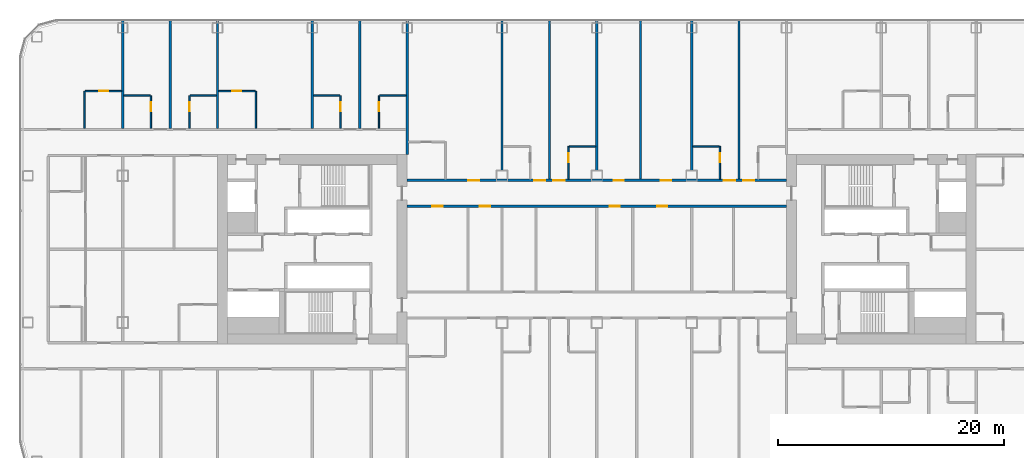
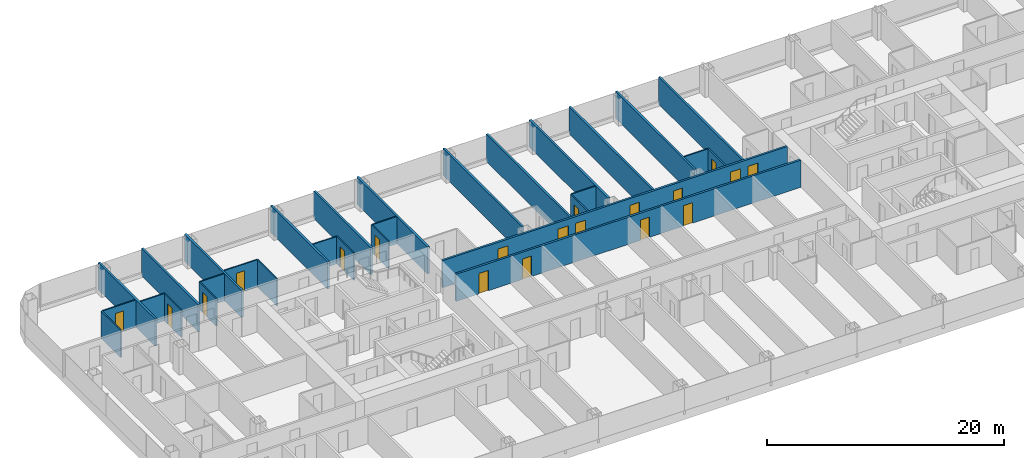
# One storey, part 16 of 28: 30 walls, 19 doors, 19 openings.
"""IFC4 building model written with IfcOpenShell, lengths in metres."""

from ifc_helpers import new_model, si_unit, direction, frame, frame_2d, origin, place, context, subcontext, project, spatial, rectangle, extrude, material, layer, layer_set, type_object, element, fill, save


model = new_model("IFC4")

# Units and contexts
model_context = context("Model", 3, precision=1e-05, world=origin(), true_north=direction((0.0, 1.0)))
body_context = subcontext(model_context, "Body", "Model", "MODEL_VIEW")
ifc_project = project(units=[si_unit("LENGTHUNIT", "METRE"), si_unit("AREAUNIT", "SQUARE_METRE"), si_unit("VOLUMEUNIT", "CUBIC_METRE"), si_unit("PLANEANGLEUNIT", "RADIAN"), si_unit("MASSUNIT", "GRAM", prefix="KILO")], contexts=[model_context])

# Site, building, storey
site_placement = place(None, origin())
site = spatial("IfcSite", under=ifc_project, at=site_placement, CompositionType="ELEMENT")
building_placement = place(site_placement, origin())
building = spatial("IfcBuilding", under=site, at=building_placement, Name="Hakoniwa Tower and Hamabe Station Hall", CompositionType="ELEMENT")
storey_placement = place(building_placement, frame((0.0, 0.0, 42.199951171875)))
storey = spatial("IfcBuildingStorey", under=building, at=storey_placement, Name="L11", CompositionType="ELEMENT", Elevation=42.199951171875)

# Walls
ifc_material_1 = material(Name="Gypsum board partition", Category="gypsum")
ifc_layer_1 = layer(ifc_material_1, 0.125)
ifc_layer_set_1 = layer_set([ifc_layer_1], Name="Bathroom Partition 125")
wall_type_1 = type_object("IfcWallType", Name="Bathroom Partition 125", PredefinedType="PARTITIONING", material=ifc_layer_set_1)
for number, where, z_axis, x_axis, name in (
    (1, (-2.4375, 9.10009765625, 0.0), (0.0, 0.0, 1.0), (1.0, 0.0, 0.0), "GW-L11-030"),
    (2, (8.5, 9.10009765625, 0.0), (0.0, 0.0, 1.0), (1.0, 0.0, 0.0), "GW-L11-031"),
    (3, (-41.89990234375, 13.60009765625, 0.0), (0.0, 0.0, 1.0), (1.0, 0.0, 0.0), "GW-L11-036"),
):
    element("IfcWall", number, at=place(storey_placement, frame(where, z_axis=z_axis, x_axis=x_axis)), inside=storey, type_object=wall_type_1, Name=name, PredefinedType="PARTITIONING", context=body_context, shape_type="SweptSolid", body=[
        extrude(rectangle(XDim=2.33740234375, YDim=0.125, at=frame_2d((1.168701171875, 0.0))), origin(), (0.0, 0.0, 1.0), 2.800048828125),
    ])
for number, where, z_axis, x_axis, name in (
    (4, (-36.03759765625, 13.60009765625, 0.0), (0.0, 0.0, 1.0), (1.0, 0.0, 0.0), "GW-L11-037"),
    (5, (-25.10009765625, 13.60009765625, 0.0), (0.0, 0.0, 1.0), (1.0, 0.0, 0.0), "GW-L11-038"),
    (6, (-19.237548828125, 13.60009765625, 0.0), (0.0, 0.0, 1.0), (1.0, 0.0, 0.0), "GW-L11-039"),
):
    element("IfcWall", number, at=place(storey_placement, frame(where, z_axis=z_axis, x_axis=x_axis)), inside=storey, type_object=wall_type_1, Name=name, PredefinedType="PARTITIONING", context=body_context, shape_type="SweptSolid", body=[
        extrude(rectangle(XDim=2.337646484375, YDim=0.125, at=frame_2d((1.1689453125, 0.0))), origin(), (0.0, 0.0, 1.0), 2.800048828125),
    ])

# Wall, opening, door
wall_1_placement = place(storey_placement, frame((-45.33740234375, 14.0, 0.0), z_axis=(0.0, 0.0, 1.0), x_axis=(1.0, 0.0, 0.0)))
wall_1 = element("IfcWall", 7, at=wall_1_placement, inside=storey, type_object=wall_type_1, Name="GW-L11-044", PredefinedType="PARTITIONING", context=body_context, shape_type="SweptSolid", body=[
    extrude(rectangle(XDim=3.2373046875, YDim=0.125, at=frame_2d((1.61865234375, 0.0))), origin(), (0.0, 0.0, 1.0), 2.800048828125),
])
opening_1_placement = place(wall_1_placement, frame((1.237548828125, 0.0, 0.0)))
opening_1 = element("IfcOpeningElement", 8, at=opening_1_placement, cuts=wall_1, Name="Opening GD-G1C1-64", PredefinedType="OPENING", context=body_context, shape_type="SweptSolid", body=[
    extrude(rectangle(XDim=0.800048828125, YDim=2.10009765625, at=frame_2d((0.39990234375, 1.050048828125))), frame((0.0, 0.072509765625, 0.0), z_axis=(0.0, -1.0, 0.0), x_axis=(1.0, 0.0, 0.0)), (0.0, 0.0, 1.0), 0.14501953125),
])
ifc_material_2 = material(Name="Timber door leaf", Category="wood")
door_type_1 = type_object("IfcDoorType", Name="Bathroom Door 800", OperationType="SINGLE_SWING_LEFT", PredefinedType="DOOR", material=ifc_material_2)
door_1_placement = place(opening_1_placement, origin())
door_1 = element("IfcDoor", 9, at=door_1_placement, inside=storey, type_object=door_type_1, Name="Door GD-G1C1-64", OperationType="SINGLE_SWING_RIGHT", OverallHeight=2.10009765625, OverallWidth=0.800048828125, PredefinedType="DOOR", context=body_context, shape_type="SweptSolid", body=[
    extrude(rectangle(XDim=0.800048828125, YDim=2.10009765625, at=frame_2d((0.39990234375, 1.050048828125))), frame((0.0, 0.02490234375, 0.0), z_axis=(0.0, -1.0, 0.0), x_axis=(1.0, 0.0, 0.0)), (0.0, 0.0, 1.0), 0.050048828125),
])
fill(opening_1, door_1)

wall_2_placement = place(storey_placement, frame((-33.5, 14.0, 0.0), z_axis=(0.0, 0.0, 1.0), x_axis=(1.0, 0.0, 0.0)))
wall_2 = element("IfcWall", 10, at=wall_2_placement, inside=storey, type_object=wall_type_1, Name="GW-L11-045", PredefinedType="PARTITIONING", context=body_context, shape_type="SweptSolid", body=[
    extrude(rectangle(XDim=3.237548828125, YDim=0.125, at=frame_2d((1.61865234375, 0.0))), origin(), (0.0, 0.0, 1.0), 2.800048828125),
])
opening_2_placement = place(wall_2_placement, frame((1.199951171875, 0.0, 0.0)))
opening_2 = element("IfcOpeningElement", 11, at=opening_2_placement, cuts=wall_2, Name="Opening GD-G1C1-65", PredefinedType="OPENING", context=body_context, shape_type="SweptSolid", body=[
    extrude(rectangle(XDim=0.800048828125, YDim=2.10009765625, at=frame_2d((0.39990234375, 1.050048828125))), frame((0.0, 0.072509765625, 0.0), z_axis=(0.0, -1.0, 0.0), x_axis=(1.0, 0.0, 0.0)), (0.0, 0.0, 1.0), 0.14501953125),
])
door_2_placement = place(opening_2_placement, origin())
door_2 = element("IfcDoor", 12, at=door_2_placement, inside=storey, type_object=door_type_1, Name="Door GD-G1C1-65", OperationType="SINGLE_SWING_LEFT", OverallHeight=2.10009765625, OverallWidth=0.800048828125, PredefinedType="DOOR", context=body_context, shape_type="SweptSolid", body=[
    extrude(rectangle(XDim=0.800048828125, YDim=2.10009765625, at=frame_2d((0.39990234375, 1.050048828125))), frame((0.0, 0.02490234375, 0.0), z_axis=(0.0, -1.0, 0.0), x_axis=(1.0, 0.0, 0.0)), (0.0, 0.0, 1.0), 0.050048828125),
])
fill(opening_2, door_2)

# Wall
wall_3_placement = place(storey_placement, frame((-45.39990234375, 10.699951171875, 0.0), z_axis=(0.0, 0.0, 1.0), x_axis=(0.0, 1.0, 0.0)))
element("IfcWall", 13, at=wall_3_placement, inside=storey, type_object=wall_type_1, Name="GW-L11-052", PredefinedType="PARTITIONING", context=body_context, shape_type="SweptSolid", body=[
    extrude(rectangle(XDim=3.300048828125, YDim=0.125, at=frame_2d((1.64990234375, 0.0))), origin(), (0.0, 0.0, 1.0), 2.800048828125),
])

# Wall, opening, door
wall_4_placement = place(storey_placement, frame((-39.5, 10.699951171875, 0.0), z_axis=(0.0, 0.0, 1.0), x_axis=(0.0, 1.0, 0.0)))
wall_4 = element("IfcWall", 14, at=wall_4_placement, inside=storey, type_object=wall_type_1, Name="GW-L11-057", PredefinedType="PARTITIONING", context=body_context, shape_type="SweptSolid", body=[
    extrude(rectangle(XDim=2.900146484375, YDim=0.125, at=frame_2d((1.4501953125, 0.0))), origin(), (0.0, 0.0, 1.0), 2.800048828125),
])
opening_3_placement = place(wall_4_placement, frame((1.5, 0.0, 0.0)))
opening_3 = element("IfcOpeningElement", 15, at=opening_3_placement, cuts=wall_4, Name="Opening GD-G1C1-70", PredefinedType="OPENING", context=body_context, shape_type="SweptSolid", body=[
    extrude(rectangle(XDim=0.800048828125, YDim=2.10009765625, at=frame_2d((0.39990234375, 1.050048828125))), frame((0.0, 0.072509765625, 0.0), z_axis=(0.0, -1.0, 0.0), x_axis=(1.0, 0.0, 0.0)), (0.0, 0.0, 1.0), 0.14501953125),
])
door_3_placement = place(opening_3_placement, origin())
door_3 = element("IfcDoor", 16, at=door_3_placement, inside=storey, type_object=door_type_1, Name="Door GD-G1C1-70", OperationType="SINGLE_SWING_LEFT", OverallHeight=2.10009765625, OverallWidth=0.800048828125, PredefinedType="DOOR", context=body_context, shape_type="SweptSolid", body=[
    extrude(rectangle(XDim=0.800048828125, YDim=2.10009765625, at=frame_2d((0.39990234375, 1.050048828125))), frame((0.0, 0.02490234375, 0.0), z_axis=(0.0, -1.0, 0.0), x_axis=(1.0, 0.0, 0.0)), (0.0, 0.0, 1.0), 0.050048828125),
])
fill(opening_3, door_3)

wall_5_placement = place(storey_placement, frame((-36.10009765625, 10.699951171875, 0.0), z_axis=(0.0, 0.0, 1.0), x_axis=(0.0, 1.0, 0.0)))
wall_5 = element("IfcWall", 17, at=wall_5_placement, inside=storey, type_object=wall_type_1, Name="GW-L11-062", PredefinedType="PARTITIONING", context=body_context, shape_type="SweptSolid", body=[
    extrude(rectangle(XDim=2.900146484375, YDim=0.125, at=frame_2d((1.4501953125, 0.0))), origin(), (0.0, 0.0, 1.0), 2.800048828125),
])
opening_4_placement = place(wall_5_placement, frame((1.5, 0.0, 0.0)))
opening_4 = element("IfcOpeningElement", 18, at=opening_4_placement, cuts=wall_5, Name="Opening GD-G1C1-71", PredefinedType="OPENING", context=body_context, shape_type="SweptSolid", body=[
    extrude(rectangle(XDim=0.800048828125, YDim=2.10009765625, at=frame_2d((0.39990234375, 1.050048828125))), frame((0.0, 0.072509765625, 0.0), z_axis=(0.0, -1.0, 0.0), x_axis=(1.0, 0.0, 0.0)), (0.0, 0.0, 1.0), 0.14501953125),
])
door_4_placement = place(opening_4_placement, origin())
door_4 = element("IfcDoor", 19, at=door_4_placement, inside=storey, type_object=door_type_1, Name="Door GD-G1C1-71", OperationType="SINGLE_SWING_RIGHT", OverallHeight=2.10009765625, OverallWidth=0.800048828125, PredefinedType="DOOR", context=body_context, shape_type="SweptSolid", body=[
    extrude(rectangle(XDim=0.800048828125, YDim=2.10009765625, at=frame_2d((0.39990234375, 1.050048828125))), frame((0.0, 0.02490234375, 0.0), z_axis=(0.0, -1.0, 0.0), x_axis=(1.0, 0.0, 0.0)), (0.0, 0.0, 1.0), 0.050048828125),
])
fill(opening_4, door_4)

# Wall
wall_6_placement = place(storey_placement, frame((-30.199951171875, 10.699951171875, 0.0), z_axis=(0.0, 0.0, 1.0), x_axis=(0.0, 1.0, 0.0)))
element("IfcWall", 20, at=wall_6_placement, inside=storey, type_object=wall_type_1, Name="GW-L11-065", PredefinedType="PARTITIONING", context=body_context, shape_type="SweptSolid", body=[
    extrude(rectangle(XDim=3.300048828125, YDim=0.125, at=frame_2d((1.64990234375, 0.0))), origin(), (0.0, 0.0, 1.0), 2.800048828125),
])

# Wall, opening, door
wall_7_placement = place(storey_placement, frame((-22.699951171875, 10.699951171875, 0.0), z_axis=(0.0, 0.0, 1.0), x_axis=(0.0, 1.0, 0.0)))
wall_7 = element("IfcWall", 21, at=wall_7_placement, inside=storey, type_object=wall_type_1, Name="GW-L11-068", PredefinedType="PARTITIONING", context=body_context, shape_type="SweptSolid", body=[
    extrude(rectangle(XDim=2.900146484375, YDim=0.125, at=frame_2d((1.4501953125, 0.0))), origin(), (0.0, 0.0, 1.0), 2.800048828125),
])
opening_5_placement = place(wall_7_placement, frame((1.5, 0.0, 0.0)))
opening_5 = element("IfcOpeningElement", 22, at=opening_5_placement, cuts=wall_7, Name="Opening GD-G1C1-72", PredefinedType="OPENING", context=body_context, shape_type="SweptSolid", body=[
    extrude(rectangle(XDim=0.800048828125, YDim=2.10009765625, at=frame_2d((0.39990234375, 1.050048828125))), frame((0.0, 0.072509765625, 0.0), z_axis=(0.0, -1.0, 0.0), x_axis=(1.0, 0.0, 0.0)), (0.0, 0.0, 1.0), 0.14501953125),
])
door_5_placement = place(opening_5_placement, origin())
door_5 = element("IfcDoor", 23, at=door_5_placement, inside=storey, type_object=door_type_1, Name="Door GD-G1C1-72", OperationType="SINGLE_SWING_LEFT", OverallHeight=2.10009765625, OverallWidth=0.800048828125, PredefinedType="DOOR", context=body_context, shape_type="SweptSolid", body=[
    extrude(rectangle(XDim=0.800048828125, YDim=2.10009765625, at=frame_2d((0.39990234375, 1.050048828125))), frame((0.0, 0.02490234375, 0.0), z_axis=(0.0, -1.0, 0.0), x_axis=(1.0, 0.0, 0.0)), (0.0, 0.0, 1.0), 0.050048828125),
])
fill(opening_5, door_5)

wall_8_placement = place(storey_placement, frame((-19.300048828125, 10.699951171875, 0.0), z_axis=(0.0, 0.0, 1.0), x_axis=(0.0, 1.0, 0.0)))
wall_8 = element("IfcWall", 24, at=wall_8_placement, inside=storey, type_object=wall_type_1, Name="GW-L11-071", PredefinedType="PARTITIONING", context=body_context, shape_type="SweptSolid", body=[
    extrude(rectangle(XDim=2.900146484375, YDim=0.125, at=frame_2d((1.4501953125, 0.0))), origin(), (0.0, 0.0, 1.0), 2.800048828125),
])
opening_6_placement = place(wall_8_placement, frame((1.5, 0.0, 0.0)))
opening_6 = element("IfcOpeningElement", 25, at=opening_6_placement, cuts=wall_8, Name="Opening GD-G1C1-73", PredefinedType="OPENING", context=body_context, shape_type="SweptSolid", body=[
    extrude(rectangle(XDim=0.800048828125, YDim=2.10009765625, at=frame_2d((0.39990234375, 1.050048828125))), frame((0.0, 0.072509765625, 0.0), z_axis=(0.0, -1.0, 0.0), x_axis=(1.0, 0.0, 0.0)), (0.0, 0.0, 1.0), 0.14501953125),
])
door_6_placement = place(opening_6_placement, origin())
door_6 = element("IfcDoor", 26, at=door_6_placement, inside=storey, type_object=door_type_1, Name="Door GD-G1C1-73", OperationType="SINGLE_SWING_RIGHT", OverallHeight=2.10009765625, OverallWidth=0.800048828125, PredefinedType="DOOR", context=body_context, shape_type="SweptSolid", body=[
    extrude(rectangle(XDim=0.800048828125, YDim=2.10009765625, at=frame_2d((0.39990234375, 1.050048828125))), frame((0.0, 0.02490234375, 0.0), z_axis=(0.0, -1.0, 0.0), x_axis=(1.0, 0.0, 0.0)), (0.0, 0.0, 1.0), 0.050048828125),
])
fill(opening_6, door_6)

wall_9_placement = place(storey_placement, frame((-2.5, 6.199951171875, 0.0), z_axis=(0.0, 0.0, 1.0), x_axis=(0.0, 1.0, 0.0)))
wall_9 = element("IfcWall", 27, at=wall_9_placement, inside=storey, type_object=wall_type_1, Name="GW-L11-086", PredefinedType="PARTITIONING", context=body_context, shape_type="SweptSolid", body=[
    extrude(rectangle(XDim=2.900146484375, YDim=0.125, at=frame_2d((1.4501953125, 0.0))), origin(), (0.0, 0.0, 1.0), 2.800048828125),
])
opening_7_placement = place(wall_9_placement, frame((1.5, 0.0, 0.0)))
opening_7 = element("IfcOpeningElement", 28, at=opening_7_placement, cuts=wall_9, Name="Opening GD-G1C1-77", PredefinedType="OPENING", context=body_context, shape_type="SweptSolid", body=[
    extrude(rectangle(XDim=0.800048828125, YDim=2.10009765625, at=frame_2d((0.39990234375, 1.050048828125))), frame((0.0, 0.072509765625, 0.0), z_axis=(0.0, -1.0, 0.0), x_axis=(1.0, 0.0, 0.0)), (0.0, 0.0, 1.0), 0.14501953125),
])
door_7_placement = place(opening_7_placement, origin())
door_7 = element("IfcDoor", 29, at=door_7_placement, inside=storey, type_object=door_type_1, Name="Door GD-G1C1-77", OperationType="SINGLE_SWING_RIGHT", OverallHeight=2.10009765625, OverallWidth=0.800048828125, PredefinedType="DOOR", context=body_context, shape_type="SweptSolid", body=[
    extrude(rectangle(XDim=0.800048828125, YDim=2.10009765625, at=frame_2d((0.39990234375, 1.050048828125))), frame((0.0, 0.02490234375, 0.0), z_axis=(0.0, -1.0, 0.0), x_axis=(1.0, 0.0, 0.0)), (0.0, 0.0, 1.0), 0.050048828125),
])
fill(opening_7, door_7)

wall_10_placement = place(storey_placement, frame((10.89990234375, 6.199951171875, 0.0), z_axis=(0.0, 0.0, 1.0), x_axis=(0.0, 1.0, 0.0)))
wall_10 = element("IfcWall", 30, at=wall_10_placement, inside=storey, type_object=wall_type_1, Name="GW-L11-097", PredefinedType="PARTITIONING", context=body_context, shape_type="SweptSolid", body=[
    extrude(rectangle(XDim=2.900146484375, YDim=0.125, at=frame_2d((1.4501953125, 0.0))), origin(), (0.0, 0.0, 1.0), 2.800048828125),
])
opening_8_placement = place(wall_10_placement, frame((1.5, 0.0, 0.0)))
opening_8 = element("IfcOpeningElement", 31, at=opening_8_placement, cuts=wall_10, Name="Opening GD-G1C1-79", PredefinedType="OPENING", context=body_context, shape_type="SweptSolid", body=[
    extrude(rectangle(XDim=0.800048828125, YDim=2.10009765625, at=frame_2d((0.39990234375, 1.050048828125))), frame((0.0, 0.072509765625, 0.0), z_axis=(0.0, -1.0, 0.0), x_axis=(1.0, 0.0, 0.0)), (0.0, 0.0, 1.0), 0.14501953125),
])
door_8_placement = place(opening_8_placement, origin())
door_8 = element("IfcDoor", 32, at=door_8_placement, inside=storey, type_object=door_type_1, Name="Door GD-G1C1-79", OperationType="SINGLE_SWING_LEFT", OverallHeight=2.10009765625, OverallWidth=0.800048828125, PredefinedType="DOOR", context=body_context, shape_type="SweptSolid", body=[
    extrude(rectangle(XDim=0.800048828125, YDim=2.10009765625, at=frame_2d((0.39990234375, 1.050048828125))), frame((0.0, 0.02490234375, 0.0), z_axis=(0.0, -1.0, 0.0), x_axis=(1.0, 0.0, 0.0)), (0.0, 0.0, 1.0), 0.050048828125),
])
fill(opening_8, door_8)

# Wall, openings, doors
ifc_material_3 = material(Name="Fire-rated gypsum board partition", Category="gypsum")
ifc_layer_2 = layer(ifc_material_3, 0.199951171875)
ifc_layer_set_2 = layer_set([ifc_layer_2], Name="Corridor Wall 200")
wall_type_2 = type_object("IfcWallType", Name="Corridor Wall 200", PredefinedType="PARTITIONING", material=ifc_layer_set_2)
wall_11_placement = place(storey_placement, frame((-16.800048828125, 3.800048828125, 0.0), z_axis=(0.0, 0.0, 1.0), x_axis=(1.0, 0.0, 0.0)))
wall_11 = element("IfcWall", 33, at=wall_11_placement, inside=storey, type_object=wall_type_2, Name="GW-L11-023", PredefinedType="PARTITIONING", context=body_context, shape_type="SweptSolid", body=[
    extrude(rectangle(XDim=33.60009765625, YDim=0.199951171875, at=frame_2d((16.800048828125, 0.0))), origin(), (0.0, 0.0, 1.0), 2.800048828125),
])
opening_9_placement = place(wall_11_placement, frame((2.239990234375, 0.0, 0.0)))
opening_9 = element("IfcOpeningElement", 34, at=opening_9_placement, cuts=wall_11, Name="Opening GD-G1C1-35", PredefinedType="OPENING", context=body_context, shape_type="SweptSolid", body=[
    extrude(rectangle(XDim=0.89990234375, YDim=2.10009765625, at=frame_2d((0.449951171875, 1.050048828125))), frame((0.0, 0.10986328125, 0.0), z_axis=(0.0, -1.0, 0.0), x_axis=(1.0, 0.0, 0.0)), (0.0, 0.0, 1.0), 0.219970703125),
])
opening_10_placement = place(wall_11_placement, frame((6.43994140625, 0.0, 0.0)))
opening_10 = element("IfcOpeningElement", 35, at=opening_10_placement, cuts=wall_11, Name="Opening GD-G1C1-36", PredefinedType="OPENING", context=body_context, shape_type="SweptSolid", body=[
    extrude(rectangle(XDim=0.89990234375, YDim=2.10009765625, at=frame_2d((0.449951171875, 1.050048828125))), frame((0.0, 0.10986328125, 0.0), z_axis=(0.0, -1.0, 0.0), x_axis=(1.0, 0.0, 0.0)), (0.0, 0.0, 1.0), 0.219970703125),
])
opening_11_placement = place(wall_11_placement, frame((17.945068359375, 0.0, 0.0)))
opening_11 = element("IfcOpeningElement", 36, at=opening_11_placement, cuts=wall_11, Name="Opening GD-G1C1-37", PredefinedType="OPENING", context=body_context, shape_type="SweptSolid", body=[
    extrude(rectangle(XDim=0.89990234375, YDim=2.10009765625, at=frame_2d((0.449951171875, 1.050048828125))), frame((0.0, 0.10986328125, 0.0), z_axis=(0.0, -1.0, 0.0), x_axis=(1.0, 0.0, 0.0)), (0.0, 0.0, 1.0), 0.219970703125),
])
opening_12_placement = place(wall_11_placement, frame((22.14501953125, 0.0, 0.0)))
opening_12 = element("IfcOpeningElement", 37, at=opening_12_placement, cuts=wall_11, Name="Opening GD-G1C1-38", PredefinedType="OPENING", context=body_context, shape_type="SweptSolid", body=[
    extrude(rectangle(XDim=0.89990234375, YDim=2.10009765625, at=frame_2d((0.449951171875, 1.050048828125))), frame((0.0, 0.10986328125, 0.0), z_axis=(0.0, -1.0, 0.0), x_axis=(1.0, 0.0, 0.0)), (0.0, 0.0, 1.0), 0.219970703125),
])
ifc_material_4 = material(Name="Timber door leaf", Category="wood")
door_type_2 = type_object("IfcDoorType", Name="Service Door 900", OperationType="SINGLE_SWING_LEFT", PredefinedType="DOOR", material=ifc_material_4)
door_9_placement = place(opening_9_placement, origin())
door_9 = element("IfcDoor", 38, at=door_9_placement, inside=storey, type_object=door_type_2, Name="Door GD-G1C1-35", OperationType="SINGLE_SWING_RIGHT", OverallHeight=2.10009765625, OverallWidth=0.89990234375, PredefinedType="DOOR", context=body_context, shape_type="SweptSolid", body=[
    extrude(rectangle(XDim=0.89990234375, YDim=2.10009765625, at=frame_2d((0.449951171875, 1.050048828125))), frame((0.0, 0.02490234375, 0.0), z_axis=(0.0, -1.0, 0.0), x_axis=(1.0, 0.0, 0.0)), (0.0, 0.0, 1.0), 0.050048828125),
])
fill(opening_9, door_9)
door_10_placement = place(opening_10_placement, origin())
door_10 = element("IfcDoor", 39, at=door_10_placement, inside=storey, type_object=door_type_2, Name="Door GD-G1C1-36", OperationType="SINGLE_SWING_LEFT", OverallHeight=2.10009765625, OverallWidth=0.89990234375, PredefinedType="DOOR", context=body_context, shape_type="SweptSolid", body=[
    extrude(rectangle(XDim=0.89990234375, YDim=2.10009765625, at=frame_2d((0.449951171875, 1.050048828125))), frame((0.0, 0.02490234375, 0.0), z_axis=(0.0, -1.0, 0.0), x_axis=(1.0, 0.0, 0.0)), (0.0, 0.0, 1.0), 0.050048828125),
])
fill(opening_10, door_10)
door_11_placement = place(opening_11_placement, origin())
door_11 = element("IfcDoor", 40, at=door_11_placement, inside=storey, type_object=door_type_2, Name="Door GD-G1C1-37", OperationType="SINGLE_SWING_RIGHT", OverallHeight=2.10009765625, OverallWidth=0.89990234375, PredefinedType="DOOR", context=body_context, shape_type="SweptSolid", body=[
    extrude(rectangle(XDim=0.89990234375, YDim=2.10009765625, at=frame_2d((0.449951171875, 1.050048828125))), frame((0.0, 0.02490234375, 0.0), z_axis=(0.0, -1.0, 0.0), x_axis=(1.0, 0.0, 0.0)), (0.0, 0.0, 1.0), 0.050048828125),
])
fill(opening_11, door_11)
door_12_placement = place(opening_12_placement, origin())
door_12 = element("IfcDoor", 41, at=door_12_placement, inside=storey, type_object=door_type_2, Name="Door GD-G1C1-38", OperationType="SINGLE_SWING_LEFT", OverallHeight=2.10009765625, OverallWidth=0.89990234375, PredefinedType="DOOR", context=body_context, shape_type="SweptSolid", body=[
    extrude(rectangle(XDim=0.89990234375, YDim=2.10009765625, at=frame_2d((0.449951171875, 1.050048828125))), frame((0.0, 0.02490234375, 0.0), z_axis=(0.0, -1.0, 0.0), x_axis=(1.0, 0.0, 0.0)), (0.0, 0.0, 1.0), 0.050048828125),
])
fill(opening_12, door_12)

wall_12_placement = place(storey_placement, frame((-16.800048828125, 6.10009765625, 0.0), z_axis=(0.0, 0.0, 1.0), x_axis=(1.0, 0.0, 0.0)))
wall_12 = element("IfcWall", 42, at=wall_12_placement, inside=storey, type_object=wall_type_2, Name="GW-L11-026", PredefinedType="PARTITIONING", context=body_context, shape_type="SweptSolid", body=[
    extrude(rectangle(XDim=33.60009765625, YDim=0.199951171875, at=frame_2d((16.800048828125, 0.0))), origin(), (0.0, 0.0, 1.0), 2.800048828125),
])
opening_13_placement = place(wall_12_placement, frame((5.39990234375, 0.0, 0.0)))
opening_13 = element("IfcOpeningElement", 43, at=opening_13_placement, cuts=wall_12, Name="Opening GD-G1C1-40", PredefinedType="OPENING", context=body_context, shape_type="SweptSolid", body=[
    extrude(rectangle(XDim=1.0, YDim=2.10009765625, at=frame_2d((0.5, 1.050048828125))), frame((0.0, 0.10986328125, 0.0), z_axis=(0.0, -1.0, 0.0), x_axis=(1.0, 0.0, 0.0)), (0.0, 0.0, 1.0), 0.219970703125),
])
opening_14_placement = place(wall_12_placement, frame((11.25, 0.0, 0.0)))
opening_14 = element("IfcOpeningElement", 44, at=opening_14_placement, cuts=wall_12, Name="Opening GD-G1C1-41", PredefinedType="OPENING", context=body_context, shape_type="SweptSolid", body=[
    extrude(rectangle(XDim=1.0, YDim=2.10009765625, at=frame_2d((0.5, 1.050048828125))), frame((0.0, 0.10986328125, 0.0), z_axis=(0.0, -1.0, 0.0), x_axis=(1.0, 0.0, 0.0)), (0.0, 0.0, 1.0), 0.219970703125),
])
opening_15_placement = place(wall_12_placement, frame((12.949951171875, 0.0, 0.0)))
opening_15 = element("IfcOpeningElement", 45, at=opening_15_placement, cuts=wall_12, Name="Opening GD-G1C1-42", PredefinedType="OPENING", context=body_context, shape_type="SweptSolid", body=[
    extrude(rectangle(XDim=1.0, YDim=2.10009765625, at=frame_2d((0.5, 1.050048828125))), frame((0.0, 0.10986328125, 0.0), z_axis=(0.0, -1.0, 0.0), x_axis=(1.0, 0.0, 0.0)), (0.0, 0.0, 1.0), 0.219970703125),
])
opening_16_placement = place(wall_12_placement, frame((18.280029296875, 0.0, 0.0)))
opening_16 = element("IfcOpeningElement", 46, at=opening_16_placement, cuts=wall_12, Name="Opening GD-G1C1-43", PredefinedType="OPENING", context=body_context, shape_type="SweptSolid", body=[
    extrude(rectangle(XDim=0.89990234375, YDim=2.10009765625, at=frame_2d((0.449951171875, 1.050048828125))), frame((0.0, 0.10986328125, 0.0), z_axis=(0.0, -1.0, 0.0), x_axis=(1.0, 0.0, 0.0)), (0.0, 0.0, 1.0), 0.219970703125),
])
opening_17_placement = place(wall_12_placement, frame((22.47998046875, 0.0, 0.0)))
opening_17 = element("IfcOpeningElement", 47, at=opening_17_placement, cuts=wall_12, Name="Opening GD-G1C1-44", PredefinedType="OPENING", context=body_context, shape_type="SweptSolid", body=[
    extrude(rectangle(XDim=0.89990234375, YDim=2.10009765625, at=frame_2d((0.449951171875, 1.050048828125))), frame((0.0, 0.10986328125, 0.0), z_axis=(0.0, -1.0, 0.0), x_axis=(1.0, 0.0, 0.0)), (0.0, 0.0, 1.0), 0.219970703125),
])
opening_18_placement = place(wall_12_placement, frame((28.050048828125, 0.0, 0.0)))
opening_18 = element("IfcOpeningElement", 48, at=opening_18_placement, cuts=wall_12, Name="Opening GD-G1C1-45", PredefinedType="OPENING", context=body_context, shape_type="SweptSolid", body=[
    extrude(rectangle(XDim=1.0, YDim=2.10009765625, at=frame_2d((0.5, 1.050048828125))), frame((0.0, 0.10986328125, 0.0), z_axis=(0.0, -1.0, 0.0), x_axis=(1.0, 0.0, 0.0)), (0.0, 0.0, 1.0), 0.219970703125),
])
opening_19_placement = place(wall_12_placement, frame((29.75, 0.0, 0.0)))
opening_19 = element("IfcOpeningElement", 49, at=opening_19_placement, cuts=wall_12, Name="Opening GD-G1C1-46", PredefinedType="OPENING", context=body_context, shape_type="SweptSolid", body=[
    extrude(rectangle(XDim=1.0, YDim=2.10009765625, at=frame_2d((0.5, 1.050048828125))), frame((0.0, 0.10986328125, 0.0), z_axis=(0.0, -1.0, 0.0), x_axis=(1.0, 0.0, 0.0)), (0.0, 0.0, 1.0), 0.219970703125),
])
ifc_material_5 = material(Name="Timber door leaf", Category="wood")
door_type_3 = type_object("IfcDoorType", Name="Guest Entrance Door 1000", OperationType="SINGLE_SWING_LEFT", PredefinedType="DOOR", material=ifc_material_5)
door_13_placement = place(opening_13_placement, origin())
door_13 = element("IfcDoor", 50, at=door_13_placement, inside=storey, type_object=door_type_3, Name="Door GD-G1C1-40", OperationType="SINGLE_SWING_LEFT", OverallHeight=2.10009765625, OverallWidth=1.0, PredefinedType="DOOR", context=body_context, shape_type="SweptSolid", body=[
    extrude(rectangle(XDim=1.0, YDim=2.10009765625, at=frame_2d((0.5, 1.050048828125))), frame((0.0, 0.02490234375, 0.0), z_axis=(0.0, -1.0, 0.0), x_axis=(1.0, 0.0, 0.0)), (0.0, 0.0, 1.0), 0.050048828125),
])
fill(opening_13, door_13)
door_14_placement = place(opening_14_placement, origin())
door_14 = element("IfcDoor", 51, at=door_14_placement, inside=storey, type_object=door_type_3, Name="Door GD-G1C1-41", OperationType="SINGLE_SWING_RIGHT", OverallHeight=2.10009765625, OverallWidth=1.0, PredefinedType="DOOR", context=body_context, shape_type="SweptSolid", body=[
    extrude(rectangle(XDim=1.0, YDim=2.10009765625, at=frame_2d((0.5, 1.050048828125))), frame((0.0, 0.02490234375, 0.0), z_axis=(0.0, -1.0, 0.0), x_axis=(1.0, 0.0, 0.0)), (0.0, 0.0, 1.0), 0.050048828125),
])
fill(opening_14, door_14)
door_15_placement = place(opening_15_placement, origin())
door_15 = element("IfcDoor", 52, at=door_15_placement, inside=storey, type_object=door_type_3, Name="Door GD-G1C1-42", OperationType="SINGLE_SWING_LEFT", OverallHeight=2.10009765625, OverallWidth=1.0, PredefinedType="DOOR", context=body_context, shape_type="SweptSolid", body=[
    extrude(rectangle(XDim=1.0, YDim=2.10009765625, at=frame_2d((0.5, 1.050048828125))), frame((0.0, 0.02490234375, 0.0), z_axis=(0.0, -1.0, 0.0), x_axis=(1.0, 0.0, 0.0)), (0.0, 0.0, 1.0), 0.050048828125),
])
fill(opening_15, door_15)
door_16_placement = place(opening_18_placement, origin())
door_16 = element("IfcDoor", 53, at=door_16_placement, inside=storey, type_object=door_type_3, Name="Door GD-G1C1-45", OperationType="SINGLE_SWING_RIGHT", OverallHeight=2.10009765625, OverallWidth=1.0, PredefinedType="DOOR", context=body_context, shape_type="SweptSolid", body=[
    extrude(rectangle(XDim=1.0, YDim=2.10009765625, at=frame_2d((0.5, 1.050048828125))), frame((0.0, 0.02490234375, 0.0), z_axis=(0.0, -1.0, 0.0), x_axis=(1.0, 0.0, 0.0)), (0.0, 0.0, 1.0), 0.050048828125),
])
fill(opening_18, door_16)
door_17_placement = place(opening_19_placement, origin())
door_17 = element("IfcDoor", 54, at=door_17_placement, inside=storey, type_object=door_type_3, Name="Door GD-G1C1-46", OperationType="SINGLE_SWING_LEFT", OverallHeight=2.10009765625, OverallWidth=1.0, PredefinedType="DOOR", context=body_context, shape_type="SweptSolid", body=[
    extrude(rectangle(XDim=1.0, YDim=2.10009765625, at=frame_2d((0.5, 1.050048828125))), frame((0.0, 0.02490234375, 0.0), z_axis=(0.0, -1.0, 0.0), x_axis=(1.0, 0.0, 0.0)), (0.0, 0.0, 1.0), 0.050048828125),
])
fill(opening_19, door_17)
door_18_placement = place(opening_16_placement, origin())
door_18 = element("IfcDoor", 55, at=door_18_placement, inside=storey, type_object=door_type_2, Name="Door GD-G1C1-43", OperationType="SINGLE_SWING_LEFT", OverallHeight=2.10009765625, OverallWidth=0.89990234375, PredefinedType="DOOR", context=body_context, shape_type="SweptSolid", body=[
    extrude(rectangle(XDim=0.89990234375, YDim=2.10009765625, at=frame_2d((0.449951171875, 1.050048828125))), frame((0.0, 0.02490234375, 0.0), z_axis=(0.0, -1.0, 0.0), x_axis=(1.0, 0.0, 0.0)), (0.0, 0.0, 1.0), 0.050048828125),
])
fill(opening_16, door_18)
door_19_placement = place(opening_17_placement, origin())
door_19 = element("IfcDoor", 56, at=door_19_placement, inside=storey, type_object=door_type_2, Name="Door GD-G1C1-44", OperationType="SINGLE_SWING_LEFT", OverallHeight=2.10009765625, OverallWidth=0.89990234375, PredefinedType="DOOR", context=body_context, shape_type="SweptSolid", body=[
    extrude(rectangle(XDim=0.89990234375, YDim=2.10009765625, at=frame_2d((0.449951171875, 1.050048828125))), frame((0.0, 0.02490234375, 0.0), z_axis=(0.0, -1.0, 0.0), x_axis=(1.0, 0.0, 0.0)), (0.0, 0.0, 1.0), 0.050048828125),
])
fill(opening_17, door_19)

# Walls
ifc_material_6 = material(Name="Fire-rated gypsum board partition", Category="gypsum")
ifc_layer_3 = layer(ifc_material_6, 0.199951171875)
ifc_layer_set_3 = layer_set([ifc_layer_3], Name="Party Wall 200")
wall_type_3 = type_object("IfcWallType", Name="Party Wall 200", PredefinedType="PARTITIONING", material=ifc_layer_set_3)
for number, where, z_axis, x_axis, name in (
    (57, (-42.0, 10.699951171875, 0.0), (0.0, 0.0, 1.0), (0.0, 1.0, 0.0), "GW-L11-056"),
    (58, (-37.800048828125, 10.699951171875, 0.0), (0.0, 0.0, 1.0), (0.0, 1.0, 0.0), "GW-L11-059"),
    (59, (-33.60009765625, 10.699951171875, 0.0), (0.0, 0.0, 1.0), (0.0, 1.0, 0.0), "GW-L11-064"),
    (60, (-25.199951171875, 10.699951171875, 0.0), (0.0, 0.0, 1.0), (0.0, 1.0, 0.0), "GW-L11-067"),
    (61, (-21.0, 10.699951171875, 0.0), (0.0, 0.0, 1.0), (0.0, 1.0, 0.0), "GW-L11-069"),
):
    element("IfcWall", number, at=place(storey_placement, frame(where, z_axis=z_axis, x_axis=x_axis)), inside=storey, type_object=wall_type_3, Name=name, PredefinedType="PARTITIONING", context=body_context, shape_type="SweptSolid", body=[
        extrude(rectangle(XDim=9.60009765625, YDim=0.199951171875, at=frame_2d((4.800048828125, 0.0))), origin(), (0.0, 0.0, 1.0), 2.800048828125),
    ])
wall_13_placement = place(storey_placement, frame((-16.800048828125, 8.389892578125, 0.0), z_axis=(0.0, 0.0, 1.0), x_axis=(0.0, 1.0, 0.0)))
element("IfcWall", 62, at=wall_13_placement, inside=storey, type_object=wall_type_3, Name="GW-L11-073", PredefinedType="PARTITIONING", context=body_context, shape_type="SweptSolid", body=[
    extrude(rectangle(XDim=11.91015625, YDim=0.199951171875, at=frame_2d((5.955078125, 0.0))), origin(), (0.0, 0.0, 1.0), 2.800048828125),
])
wall_14_placement = place(storey_placement, frame((-8.39990234375, 6.989990234375, 0.0), z_axis=(0.0, 0.0, 1.0), x_axis=(0.0, 1.0, 0.0)))
element("IfcWall", 63, at=wall_14_placement, inside=storey, type_object=wall_type_3, Name="GW-L11-079", PredefinedType="PARTITIONING", context=body_context, shape_type="SweptSolid", body=[
    extrude(rectangle(XDim=13.31005859375, YDim=0.199951171875, at=frame_2d((6.655029296875, 0.0))), origin(), (0.0, 0.0, 1.0), 2.800048828125),
])
wall_15_placement = place(storey_placement, frame((-4.199951171875, 6.199951171875, 0.0), z_axis=(0.0, 0.0, 1.0), x_axis=(0.0, 1.0, 0.0)))
element("IfcWall", 64, at=wall_15_placement, inside=storey, type_object=wall_type_3, Name="GW-L11-084", PredefinedType="PARTITIONING", context=body_context, shape_type="SweptSolid", body=[
    extrude(rectangle(XDim=14.10009765625, YDim=0.199951171875, at=frame_2d((7.050048828125, 0.0))), origin(), (0.0, 0.0, 1.0), 2.800048828125),
])
wall_16_placement = place(storey_placement, frame((0.0, 6.989990234375, 0.0), z_axis=(0.0, 0.0, 1.0), x_axis=(0.0, 1.0, 0.0)))
element("IfcWall", 65, at=wall_16_placement, inside=storey, type_object=wall_type_3, Name="GW-L11-089", PredefinedType="PARTITIONING", context=body_context, shape_type="SweptSolid", body=[
    extrude(rectangle(XDim=13.31005859375, YDim=0.199951171875, at=frame_2d((6.655029296875, 0.0))), origin(), (0.0, 0.0, 1.0), 2.800048828125),
])
wall_17_placement = place(storey_placement, frame((3.860107421875, 6.199951171875, 0.0), z_axis=(0.0, 0.0, 1.0), x_axis=(0.0, 1.0, 0.0)))
element("IfcWall", 66, at=wall_17_placement, inside=storey, type_object=wall_type_3, Name="GW-L11-092", PredefinedType="PARTITIONING", context=body_context, shape_type="SweptSolid", body=[
    extrude(rectangle(XDim=14.10009765625, YDim=0.199951171875, at=frame_2d((7.050048828125, 0.0))), origin(), (0.0, 0.0, 1.0), 2.800048828125),
])
wall_18_placement = place(storey_placement, frame((8.39990234375, 6.989990234375, 0.0), z_axis=(0.0, 0.0, 1.0), x_axis=(0.0, 1.0, 0.0)))
element("IfcWall", 67, at=wall_18_placement, inside=storey, type_object=wall_type_3, Name="GW-L11-095", PredefinedType="PARTITIONING", context=body_context, shape_type="SweptSolid", body=[
    extrude(rectangle(XDim=13.31005859375, YDim=0.199951171875, at=frame_2d((6.655029296875, 0.0))), origin(), (0.0, 0.0, 1.0), 2.800048828125),
])
wall_19_placement = place(storey_placement, frame((12.60009765625, 6.199951171875, 0.0), z_axis=(0.0, 0.0, 1.0), x_axis=(0.0, 1.0, 0.0)))
element("IfcWall", 68, at=wall_19_placement, inside=storey, type_object=wall_type_3, Name="GW-L11-100", PredefinedType="PARTITIONING", context=body_context, shape_type="SweptSolid", body=[
    extrude(rectangle(XDim=14.10009765625, YDim=0.199951171875, at=frame_2d((7.050048828125, 0.0))), origin(), (0.0, 0.0, 1.0), 2.800048828125),
])

save(model, "model.ifc")
